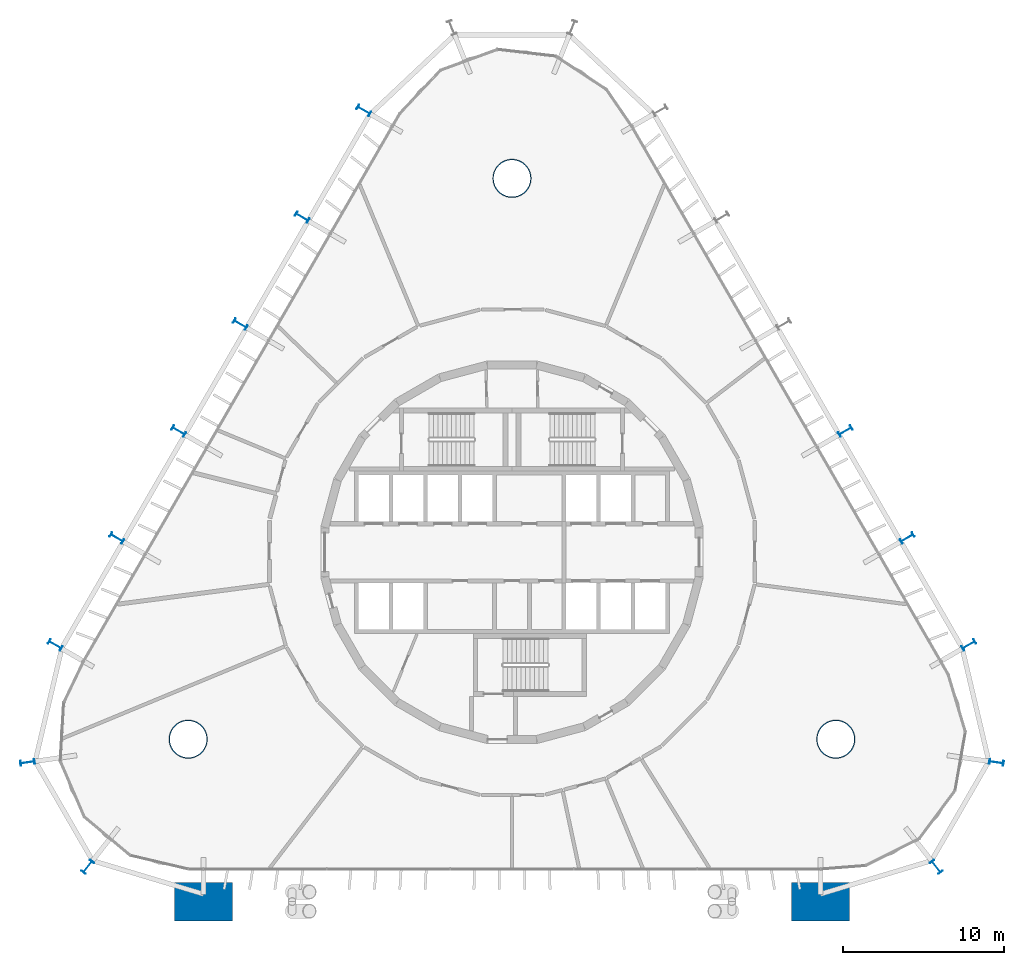
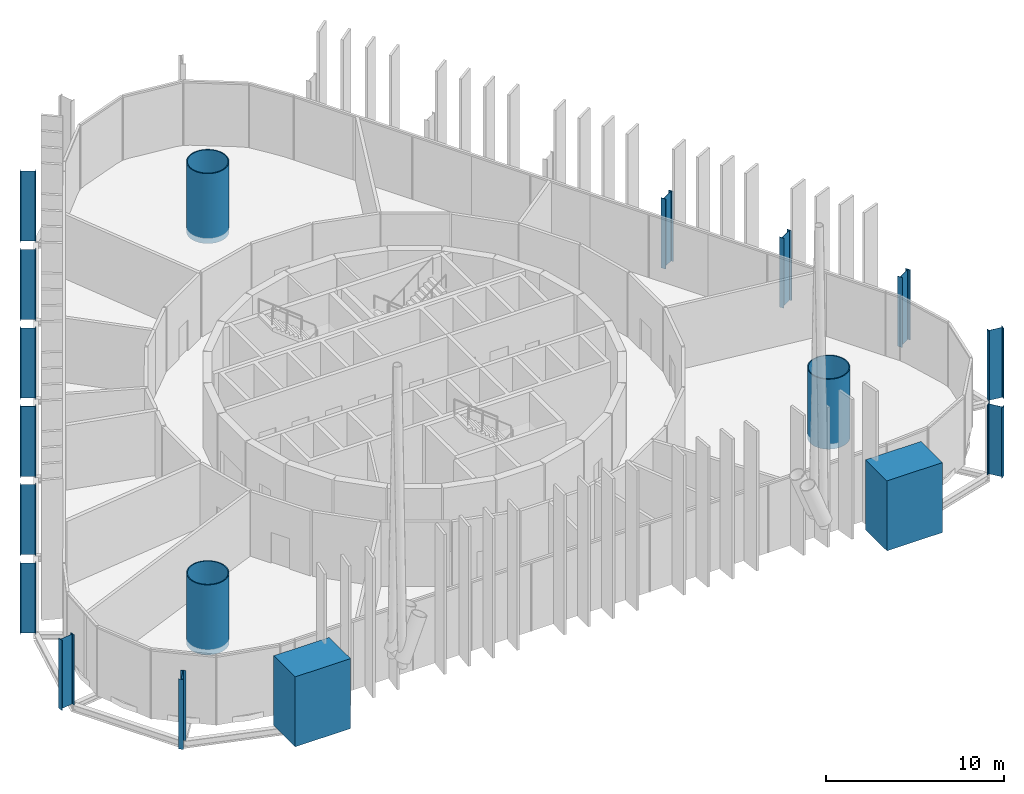
# One storey, part 1 of 18: 18 columns.
"""IFC4 building model written with IfcOpenShell, lengths in metres."""

from ifc_helpers import new_model, si_unit, direction, frame, origin, origin_2d, place, context, subcontext, project, spatial, rectangle, hollow_circle, i_section, extrude, material, material_profile, profile_set, type_object, element, save


model = new_model("IFC4")

# Units and contexts
model_context = context("Model", 3, precision=1e-05, world=origin(), true_north=direction((0.0, 1.0)))
body_context = subcontext(model_context, "Body", "Model", "MODEL_VIEW")
ifc_project = project(units=[si_unit("LENGTHUNIT", "METRE"), si_unit("AREAUNIT", "SQUARE_METRE"), si_unit("VOLUMEUNIT", "CUBIC_METRE"), si_unit("PLANEANGLEUNIT", "RADIAN"), si_unit("MASSUNIT", "GRAM", prefix="KILO")], contexts=[model_context])

# Site, building, storey
site_placement = place(None, origin())
site = spatial("IfcSite", under=ifc_project, at=site_placement, CompositionType="ELEMENT")
building_placement = place(site_placement, origin())
building = spatial("IfcBuilding", under=site, at=building_placement, Name="Spindle Arch Residences", CompositionType="ELEMENT")
storey_placement = place(building_placement, frame((0.0, 0.0, 9.0)))
storey = spatial("IfcBuildingStorey", under=building, at=storey_placement, Name="L01", CompositionType="ELEMENT", Elevation=9.0)

# Columns
ifc_material_1 = material(Name="Concrete C50/60", Category="concrete")
ifc_material_profile_1 = material_profile(ifc_material_1, rectangle(XDim=3.60009765625, YDim=2.39990234375, at=origin_2d()), Name="RC 3600x2400")
ifc_profile_set_1 = profile_set([ifc_material_profile_1], Name="Concrete C50/60")
column_type_1 = type_object("IfcColumnType", Name="Arcade pier RC 3600x2400", PredefinedType="COLUMN", material=ifc_profile_set_1)
for number, where, z_axis, x_axis, name in (
    (1, (-19.2001953125, -21.72998046875, -0.3798828125), (0.0, 0.0, 1.0), (1.0, 0.0, 0.0), "Arcade pier W"),
    (2, (19.2001953125, -21.72998046875, -0.3798828125), (0.0, 0.0, 1.0), (1.0, 0.0, 0.0), "Arcade pier E"),
):
    element("IfcColumn", number, at=place(storey_placement, frame(where, z_axis=z_axis, x_axis=x_axis)), inside=storey, type_object=column_type_1, Name=name, PredefinedType="COLUMN", context=body_context, shape_type="SweptSolid", body=[
        extrude(rectangle(XDim=3.60009765625, YDim=2.39990234375, at=origin_2d()), origin(), (0.0, 0.0, 1.0), 4.7998046875),
    ])
ifc_material_2 = material(Name="Steel S460ML, intumescent coating R 240", Category="steel")
ifc_material_profile_2 = material_profile(ifc_material_2, i_section(OverallWidth=0.300048828125, OverallDepth=0.89990234375, WebThickness=0.0185546875, FlangeThickness=0.034912109375, FilletRadius=0.030029296875, at=origin_2d()), Name="HEB 900")
ifc_profile_set_2 = profile_set([ifc_material_profile_2], Name="Steel S460ML, intumescent coating R 240")
column_type_2 = type_object("IfcColumnType", Name="Exoskeleton post HEB 900", PredefinedType="COLUMN", material=ifc_profile_set_2)
for number, where, z_axis, x_axis, name in (
    (3, (26.3916015625, -19.565185546875, -0.3798828125), (0.0, 0.0, 1.0), (-0.7856835335, -0.618628632693, 0.0), "Exoskeleton post 4"),
    (4, (30.139892578125, -13.0732421875, -0.3798828125), (0.0, 0.0, 1.0), (-0.142906037553, -0.989736260036, 0.0), "Exoskeleton post 5"),
    (5, (28.418701171875, -5.762939453125, -0.3798828125), (0.0, 0.0, 1.0), (0.50000017485, -0.866025302835, 0.0), "Exoskeleton post 6"),
    (6, (24.57861328125, 0.88818359375, -0.3798828125), (0.0, 0.0, 1.0), (0.50000017485, -0.866025302835, 0.0), "Exoskeleton post 7"),
    (7, (20.73876953125, 7.539306640625, -0.3798828125), (0.0, 0.0, 1.0), (0.50000017485, -0.866025302835, 0.0), "Exoskeleton post 8"),
    (8, (-9.218505859375, 27.492919921875, -0.3798828125), (0.0, 0.0, 1.0), (0.50000017485, 0.866025302835, 0.0), "Exoskeleton post 14"),
    (9, (-13.05859375, 20.841796875, -0.3798828125), (0.0, 0.0, 1.0), (0.50000017485, 0.866025302835, 0.0), "Exoskeleton post 15"),
    (10, (-16.898681640625, 14.1904296875, -0.3798828125), (0.0, 0.0, 1.0), (0.50000017485, 0.866025302835, 0.0), "Exoskeleton post 16"),
    (11, (-20.73876953125, 7.539306640625, -0.3798828125), (0.0, 0.0, 1.0), (0.50000017485, 0.866025302835, 0.0), "Exoskeleton post 17"),
    (12, (-24.57861328125, 0.88818359375, -0.3798828125), (0.0, 0.0, 1.0), (0.50000017485, 0.866025302835, 0.0), "Exoskeleton post 18"),
    (13, (-28.418701171875, -5.762939453125, -0.3798828125), (0.0, 0.0, 1.0), (0.50000017485, 0.866025302835, 0.0), "Exoskeleton post 19"),
    (14, (-30.139892578125, -13.0732421875, -0.3798828125), (0.0, 0.0, 1.0), (-0.142906037553, 0.989736260036, 0.0), "Exoskeleton post 20"),
    (15, (-26.3916015625, -19.565185546875, -0.3798828125), (0.0, 0.0, 1.0), (-0.7856835335, 0.618628632693, 0.0), "Exoskeleton post 21"),
):
    element("IfcColumn", number, at=place(storey_placement, frame(where, z_axis=z_axis, x_axis=x_axis)), inside=storey, type_object=column_type_2, Name=name, PredefinedType="COLUMN", context=body_context, shape_type="SweptSolid", body=[
        extrude(i_section(OverallWidth=0.300048828125, OverallDepth=0.89990234375, WebThickness=0.0185546875, FlangeThickness=0.034912109375, FilletRadius=0.030029296875, at=origin_2d()), origin(), (0.0, 0.0, 1.0), 4.7998046875),
    ])
ifc_material_3 = material(Name="Concrete C50/60 filled steel tube S460ML, intumescent coating R 240", Category="concrete")
ifc_material_profile_3 = material_profile(ifc_material_3, hollow_circle(Radius=1.199951171875, WallThickness=0.06005859375, at=origin_2d()), Name="CFT D2400x60")
ifc_profile_set_3 = profile_set([ifc_material_profile_3], Name="Concrete C50/60 filled steel tube S460ML, intumescent coating R 240")
column_type_3 = type_object("IfcColumnType", Name="Mega-column CFT D2400x60", PredefinedType="COLUMN", material=ifc_profile_set_3)
for number, where, z_axis, x_axis, name in (
    (16, (20.1435546875, -11.6298828125, -0.3798828125), (0.0, 0.0, 1.0), (1.0, 0.0, 0.0), "Mega-column 1"),
    (17, (0.0, 23.259765625, -0.3798828125), (0.0, 0.0, 1.0), (1.0, 0.0, 0.0), "Mega-column 2"),
    (18, (-20.1435546875, -11.6298828125, -0.3798828125), (0.0, 0.0, 1.0), (1.0, 0.0, 0.0), "Mega-column 3"),
):
    element("IfcColumn", number, at=place(storey_placement, frame(where, z_axis=z_axis, x_axis=x_axis)), inside=storey, type_object=column_type_3, Name=name, PredefinedType="COLUMN", context=body_context, shape_type="SweptSolid", body=[
        extrude(hollow_circle(Radius=1.199951171875, WallThickness=0.06005859375, at=origin_2d()), origin(), (0.0, 0.0, 1.0), 4.7998046875),
    ])

save(model, "model.ifc")
